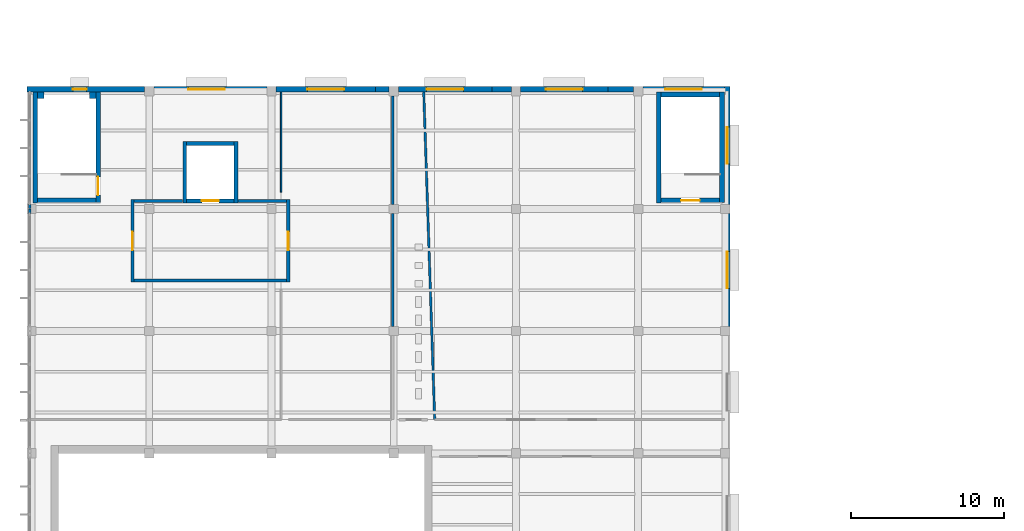
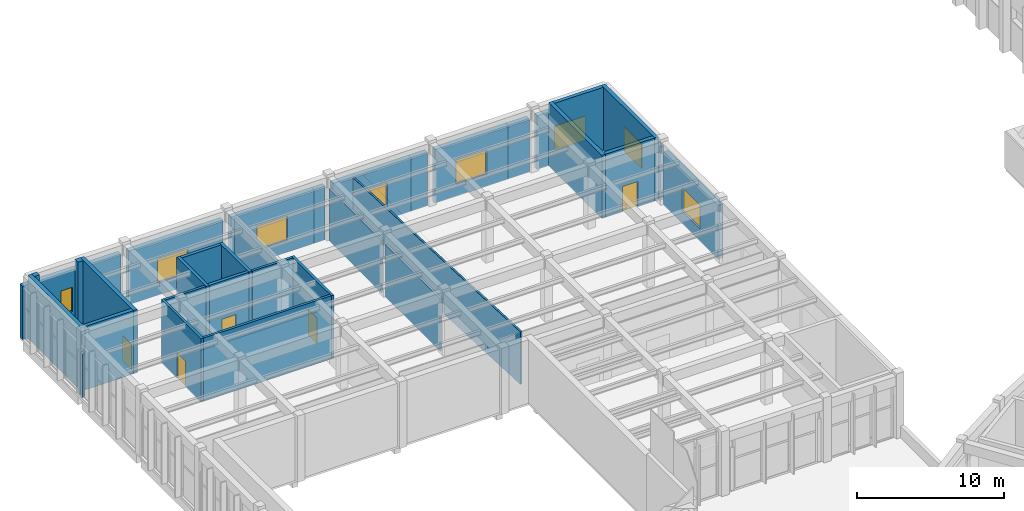
# One storey, part 66 of 94: 35 walls, 8 windows, 5 doors, 13 openings.
"""IFC4 building model written with IfcOpenShell, lengths in metres."""

from ifc_helpers import new_model, si_unit, direction, frame, frame_2d, origin, place, context, subcontext, project, spatial, rectangle, extrude, material, layer, layer_set, type_object, element, fill, save


model = new_model("IFC4")

# Units and contexts
model_context = context("Model", 3, precision=1e-05, world=origin(), true_north=direction((0.0, 1.0)))
body_context = subcontext(model_context, "Body", "Model", "MODEL_VIEW")
ifc_project = project(units=[si_unit("LENGTHUNIT", "METRE"), si_unit("AREAUNIT", "SQUARE_METRE"), si_unit("VOLUMEUNIT", "CUBIC_METRE"), si_unit("PLANEANGLEUNIT", "RADIAN"), si_unit("MASSUNIT", "GRAM", prefix="KILO")], contexts=[model_context])

# Site, building, storey
site_placement = place(None, origin())
site = spatial("IfcSite", under=ifc_project, at=site_placement, CompositionType="ELEMENT")
building_placement = place(site_placement, origin())
building = spatial("IfcBuilding", under=site, at=building_placement, Name="Lunette Opera House", CompositionType="ELEMENT")
storey_placement = place(building_placement, frame((0.0, 0.0, 22.5)))
storey = spatial("IfcBuildingStorey", under=building, at=storey_placement, Name="L04", CompositionType="ELEMENT", Elevation=22.5)

# Walls
ifc_material_1 = material(Name="Plastered clay blockwork", Category="masonry")
ifc_layer_1 = layer(ifc_material_1, 0.14990234375)
ifc_layer_set_1 = layer_set([ifc_layer_1], Name="Plastered clay blockwork")
wall_type_1 = type_object("IfcWallType", Name="BLOCK PARTITION 150", PredefinedType="PARTITIONING", material=ifc_layer_set_1)
wall_1_placement = place(storey_placement, frame((31.930908203125, 111.39990234375, 0.0), z_axis=(0.0, 0.0, 1.0), x_axis=(0.0, -1.0, 0.0)))
element("IfcWall", 1, at=wall_1_placement, inside=storey, type_object=wall_type_1, Name="Partition Rehearsal Wing WC L04", PredefinedType="PARTITIONING", context=body_context, shape_type="SweptSolid", body=[
    extrude(rectangle(XDim=7.099853515625, YDim=0.14990234375, at=frame_2d((3.5498046875, 0.0))), origin(), (0.0, 0.0, 1.0), 4.35009765625),
])
wall_2_placement = place(storey_placement, frame((31.930908203125, 103.699951171875, 0.0), z_axis=(0.0, 0.0, 1.0), x_axis=(0.0, -1.0, 0.0)))
element("IfcWall", 2, at=wall_2_placement, inside=storey, type_object=wall_type_1, Name="Partition Rehearsal Wing WC L04", PredefinedType="PARTITIONING", context=body_context, shape_type="SweptSolid", body=[
    extrude(rectangle(XDim=7.39990234375, YDim=0.14990234375, at=frame_2d((3.699951171875, 0.0))), origin(), (0.0, 0.0, 1.0), 4.35009765625),
])
wall_3_placement = place(storey_placement, frame((34.68408203125, 90.199951171875, 0.0), z_axis=(0.0, 0.0, 1.0), x_axis=(-0.033480092375, 0.999439384562, 0.0)))
element("IfcWall", 3, at=wall_3_placement, inside=storey, type_object=wall_type_1, Name="Partition Rehearsal Wing WC L04", PredefinedType="PARTITIONING", context=body_context, shape_type="SweptSolid", body=[
    extrude(rectangle(XDim=21.446044921875, YDim=0.14990234375, at=frame_2d((10.72314453125, 0.0))), origin(), (0.0, 0.0, 1.0), 4.35009765625),
])
ifc_material_2 = material(Name="Insulated aluminium sandwich panel", Category="aluminium")
ifc_layer_2 = layer(ifc_material_2, 0.179931640625)
ifc_layer_set_2 = layer_set([ifc_layer_2], Name="Insulated aluminium sandwich panel")
wall_type_2 = type_object("IfcWallType", Name="CURTAIN WALL INFILL 180", PredefinedType="SOLIDWALL", material=ifc_layer_set_2)
for number, where, z_axis, x_axis, name in (
    (4, (8.181884765625, 104.330078125, 0.0), (0.0, 0.0, 1.0), (0.0, -1.0, 0.0), "Curtain Wall Infill 180 IN114 L04"),
    (5, (8.181884765625, 103.669921875, 0.0), (0.0, 0.0, 1.0), (0.0, 1.0, 0.0), "Curtain Wall Infill 180 IN116 L04"),
):
    element("IfcWall", number, at=place(storey_placement, frame(where, z_axis=z_axis, x_axis=x_axis)), inside=storey, type_object=wall_type_2, Name=name, PredefinedType="SOLIDWALL", context=body_context, shape_type="SweptSolid", body=[
        extrude(rectangle(XDim=0.30517578125, YDim=0.179931640625, at=frame_2d((0.152587890625, 0.0))), origin(), (0.0, 0.0, 1.0), 3.60009765625),
    ])

# Wall, opening, door
ifc_material_3 = material(Name="Concrete C35/45", Category="concrete")
ifc_layer_3 = layer(ifc_material_3, 0.199951171875)
ifc_layer_set_3 = layer_set([ifc_layer_3], Name="Concrete C35/45")
wall_type_3 = type_object("IfcWallType", Name="LOBBY WALL 200", PredefinedType="PARTITIONING", material=ifc_layer_set_3)
wall_4_placement = place(storey_placement, frame((25.10009765625, 99.199951171875, 0.0), z_axis=(0.0, 0.0, 1.0), x_axis=(0.0, 1.0, 0.0)))
wall_4 = element("IfcWall", 6, at=wall_4_placement, inside=storey, type_object=wall_type_3, Name="LL-R lobby wall 1a", PredefinedType="PARTITIONING", context=body_context, shape_type="SweptSolid", body=[
    extrude(rectangle(XDim=5.400146484375, YDim=0.199951171875, at=frame_2d((2.7001953125, 0.0))), origin(), (0.0, 0.0, 1.0), 5.25),
])
opening_1_placement = place(wall_4_placement, frame((2.10009765625, 0.0, 0.0)))
opening_1 = element("IfcOpeningElement", 7, at=opening_1_placement, cuts=wall_4, Name="Opening RW-D7027", PredefinedType="OPENING", context=body_context, shape_type="SweptSolid", body=[
    extrude(rectangle(XDim=1.199951171875, YDim=2.10009765625, at=frame_2d((0.60009765625, 1.050048828125))), frame((0.0, 0.112060546875, 0.0), z_axis=(0.0, -1.0, 0.0), x_axis=(1.0, 0.0, 0.0)), (0.0, 0.0, 1.0), 0.223876953125),
])
ifc_material_4 = material(Name="Steel", Category="steel")
door_type_1 = type_object("IfcDoorType", Name="FIRE DOOR 1200 X 2100", OperationType="SINGLE_SWING_LEFT", PredefinedType="DOOR", material=ifc_material_4)
door_1_placement = place(opening_1_placement, origin())
door_1 = element("IfcDoor", 8, at=door_1_placement, inside=storey, type_object=door_type_1, Name="LL-R lobby door", OperationType="SINGLE_SWING_LEFT", OverallHeight=2.10009765625, OverallWidth=1.199951171875, PredefinedType="DOOR", context=body_context, shape_type="SweptSolid", body=[
    extrude(rectangle(XDim=1.199951171875, YDim=2.10009765625, at=frame_2d((0.60009765625, 1.050048828125))), frame((0.0, 0.02490234375, 0.0), z_axis=(0.0, -1.0, 0.0), x_axis=(1.0, 0.0, 0.0)), (0.0, 0.0, 1.0), 0.050048828125),
])
fill(opening_1, door_1)

# Walls
for number, where, z_axis, x_axis, name in (
    (9, (25.0, 104.5, 0.0), (0.0, 0.0, 1.0), (-1.0, 0.0, 0.0), "LL-R lobby wall 2a"),
    (10, (18.179931640625, 104.5, 0.0), (0.0, 0.0, 1.0), (-1.0, 0.0, 0.0), "LL-R lobby wall 2b"),
):
    element("IfcWall", number, at=place(storey_placement, frame(where, z_axis=z_axis, x_axis=x_axis)), inside=storey, type_object=wall_type_3, Name=name, PredefinedType="PARTITIONING", context=body_context, shape_type="SweptSolid", body=[
        extrude(rectangle(XDim=3.179931640625, YDim=0.199951171875, at=frame_2d((1.58984375, 0.0))), origin(), (0.0, 0.0, 1.0), 5.25),
    ])

# Wall, opening, door
wall_5_placement = place(storey_placement, frame((14.89990234375, 104.60009765625, 0.0), z_axis=(0.0, 0.0, 1.0), x_axis=(0.0, -1.0, 0.0)))
wall_5 = element("IfcWall", 11, at=wall_5_placement, inside=storey, type_object=wall_type_3, Name="LL-R lobby wall 3a", PredefinedType="PARTITIONING", context=body_context, shape_type="SweptSolid", body=[
    extrude(rectangle(XDim=5.400146484375, YDim=0.199951171875, at=frame_2d((2.7001953125, 0.0))), origin(), (0.0, 0.0, 1.0), 5.25),
])
opening_2_placement = place(wall_5_placement, frame((2.10009765625, 0.0, 0.0)))
opening_2 = element("IfcOpeningElement", 12, at=opening_2_placement, cuts=wall_5, Name="Opening RW-D7028", PredefinedType="OPENING", context=body_context, shape_type="SweptSolid", body=[
    extrude(rectangle(XDim=1.199951171875, YDim=2.10009765625, at=frame_2d((0.60009765625, 1.050048828125))), frame((0.0, 0.112060546875, 0.0), z_axis=(0.0, -1.0, 0.0), x_axis=(1.0, 0.0, 0.0)), (0.0, 0.0, 1.0), 0.223876953125),
])
door_2_placement = place(opening_2_placement, origin())
door_2 = element("IfcDoor", 13, at=door_2_placement, inside=storey, type_object=door_type_1, Name="LL-R lobby door", OperationType="SINGLE_SWING_LEFT", OverallHeight=2.10009765625, OverallWidth=1.199951171875, PredefinedType="DOOR", context=body_context, shape_type="SweptSolid", body=[
    extrude(rectangle(XDim=1.199951171875, YDim=2.10009765625, at=frame_2d((0.60009765625, 1.050048828125))), frame((0.0, 0.02490234375, 0.0), z_axis=(0.0, -1.0, 0.0), x_axis=(1.0, 0.0, 0.0)), (0.0, 0.0, 1.0), 0.050048828125),
])
fill(opening_2, door_2)

# Walls
wall_6_placement = place(storey_placement, frame((15.0, 99.300048828125, 0.0), z_axis=(0.0, 0.0, 1.0), x_axis=(1.0, 0.0, 0.0)))
element("IfcWall", 14, at=wall_6_placement, inside=storey, type_object=wall_type_3, Name="LL-R lobby wall 4a", PredefinedType="PARTITIONING", context=body_context, shape_type="SweptSolid", body=[
    extrude(rectangle(XDim=10.0, YDim=0.199951171875, at=frame_2d((5.0, 0.0))), origin(), (0.0, 0.0, 1.0), 5.25),
])
ifc_material_5 = material(Name="Concrete C35/45", Category="concrete")
ifc_layer_4 = layer(ifc_material_5, 0.25)
ifc_layer_set_4 = layer_set([ifc_layer_4], Name="Concrete C35/45")
wall_type_4 = type_object("IfcWallType", Name="RC LIFT SHAFT WALL 250", PredefinedType="SOLIDWALL", material=ifc_layer_set_4)
wall_7_placement = place(storey_placement, frame((21.675048828125, 104.39990234375, 0.0), z_axis=(0.0, 0.0, 1.0), x_axis=(0.0, 1.0, 0.0)))
element("IfcWall", 15, at=wall_7_placement, inside=storey, type_object=wall_type_4, Name="LF5 shaft wall 1", PredefinedType="SOLIDWALL", context=body_context, shape_type="SweptSolid", body=[
    extrude(rectangle(XDim=4.0, YDim=0.25, at=frame_2d((2.0, 0.0))), origin(), (0.0, 0.0, 1.0), 5.25),
])
wall_8_placement = place(storey_placement, frame((21.550048828125, 108.27490234375, 0.0), z_axis=(0.0, 0.0, 1.0), x_axis=(-1.0, 0.0, 0.0)))
element("IfcWall", 16, at=wall_8_placement, inside=storey, type_object=wall_type_4, Name="LF5 shaft wall 2", PredefinedType="SOLIDWALL", context=body_context, shape_type="SweptSolid", body=[
    extrude(rectangle(XDim=3.10009765625, YDim=0.25, at=frame_2d((1.550048828125, 0.0))), origin(), (0.0, 0.0, 1.0), 5.25),
])
wall_9_placement = place(storey_placement, frame((18.324951171875, 108.39990234375, 0.0), z_axis=(0.0, 0.0, 1.0), x_axis=(0.0, -1.0, 0.0)))
element("IfcWall", 17, at=wall_9_placement, inside=storey, type_object=wall_type_4, Name="LF5 shaft wall 3", PredefinedType="SOLIDWALL", context=body_context, shape_type="SweptSolid", body=[
    extrude(rectangle(XDim=4.0, YDim=0.25, at=frame_2d((2.0, 0.0))), origin(), (0.0, 0.0, 1.0), 5.25),
])

# Wall, opening, door
wall_10_placement = place(storey_placement, frame((18.449951171875, 104.52490234375, 0.0), z_axis=(0.0, 0.0, 1.0), x_axis=(1.0, 0.0, 0.0)))
wall_10 = element("IfcWall", 18, at=wall_10_placement, inside=storey, type_object=wall_type_4, Name="LF5 shaft wall 4", PredefinedType="SOLIDWALL", context=body_context, shape_type="SweptSolid", body=[
    extrude(rectangle(XDim=3.10009765625, YDim=0.25, at=frame_2d((1.550048828125, 0.0))), origin(), (0.0, 0.0, 1.0), 5.25),
])
opening_3_placement = place(wall_10_placement, frame((1.0, 0.0, 0.0)))
opening_3 = element("IfcOpeningElement", 19, at=opening_3_placement, cuts=wall_10, Name="Opening RW-LD006", PredefinedType="OPENING", context=body_context, shape_type="SweptSolid", body=[
    extrude(rectangle(XDim=1.10009765625, YDim=2.10009765625, at=frame_2d((0.550048828125, 1.050048828125))), frame((0.0, 0.136962890625, 0.0), z_axis=(0.0, -1.0, 0.0), x_axis=(1.0, 0.0, 0.0)), (0.0, 0.0, 1.0), 0.27392578125),
])
ifc_material_6 = material(Name="Stainless steel", Category="steel")
door_type_2 = type_object("IfcDoorType", Name="LIFT LANDING DOOR 1100 X 2100", OperationType="DOUBLE_DOOR_SLIDING", PredefinedType="DOOR", material=ifc_material_6)
door_3_placement = place(opening_3_placement, origin())
door_3 = element("IfcDoor", 20, at=door_3_placement, inside=storey, type_object=door_type_2, Name="LF5 lift landing door", OperationType="DOUBLE_DOOR_SLIDING", OverallHeight=2.10009765625, OverallWidth=1.10009765625, PredefinedType="DOOR", context=body_context, shape_type="SweptSolid", body=[
    extrude(rectangle(XDim=1.10009765625, YDim=2.10009765625, at=frame_2d((0.550048828125, 1.050048828125))), frame((0.0, 0.02490234375, 0.0), z_axis=(0.0, -1.0, 0.0), x_axis=(1.0, 0.0, 0.0)), (0.0, 0.0, 1.0), 0.050048828125),
])
fill(opening_3, door_3)

# Walls
ifc_material_7 = material(Name="Concrete C35/45", Category="concrete")
ifc_layer_5 = layer(ifc_material_7, 0.39990234375)
ifc_layer_set_5 = layer_set([ifc_layer_5], Name="Concrete C35/45")
wall_type_5 = type_object("IfcWallType", Name="RC PILASTER 400", PredefinedType="SOLIDWALL", material=ifc_layer_set_5)
wall_11_placement = place(storey_placement, frame((12.5, 111.43505859375, 0.0), z_axis=(0.0, 0.0, 1.0), x_axis=(-1.0, 0.0, 0.0)))
element("IfcWall", 21, at=wall_11_placement, inside=storey, type_object=wall_type_5, Name="ST15 pilaster 1", PredefinedType="SOLIDWALL", context=body_context, shape_type="SweptSolid", body=[
    extrude(rectangle(XDim=0.39990234375, YDim=0.39990234375, at=frame_2d((0.199951171875, 0.0))), origin(), (0.0, 0.0, 1.0), 5.25),
])
wall_12_placement = place(storey_placement, frame((9.10009765625, 111.43505859375, 0.0), z_axis=(0.0, 0.0, 1.0), x_axis=(-1.0, 0.0, 0.0)))
element("IfcWall", 22, at=wall_12_placement, inside=storey, type_object=wall_type_5, Name="ST15 pilaster 2", PredefinedType="SOLIDWALL", context=body_context, shape_type="SweptSolid", body=[
    extrude(rectangle(XDim=0.400146484375, YDim=0.39990234375, at=frame_2d((0.2001953125, 0.0))), origin(), (0.0, 0.0, 1.0), 5.25),
])

# Wall, opening, door
ifc_material_8 = material(Name="Concrete C35/45", Category="concrete")
ifc_layer_6 = layer(ifc_material_8, 0.300048828125)
ifc_layer_set_6 = layer_set([ifc_layer_6], Name="Concrete C35/45")
wall_type_6 = type_object("IfcWallType", Name="RC STAIR ENCLOSURE WALL 300", PredefinedType="SOLIDWALL", material=ifc_layer_set_6)
wall_13_placement = place(storey_placement, frame((12.64990234375, 104.39990234375, 0.0), z_axis=(0.0, 0.0, 1.0), x_axis=(0.0, 1.0, 0.0)))
wall_13 = element("IfcWall", 23, at=wall_13_placement, inside=storey, type_object=wall_type_6, Name="ST15 enclosure wall 1", PredefinedType="SOLIDWALL", context=body_context, shape_type="SweptSolid", body=[
    extrude(rectangle(XDim=7.235107421875, YDim=0.300048828125, at=frame_2d((3.61767578125, 0.0))), origin(), (0.0, 0.0, 1.0), 5.25),
])
opening_4_placement = place(wall_13_placement, frame((0.5, 0.0, 0.0)))
opening_4 = element("IfcOpeningElement", 24, at=opening_4_placement, cuts=wall_13, Name="Opening RW-D7006", PredefinedType="OPENING", context=body_context, shape_type="SweptSolid", body=[
    extrude(rectangle(XDim=1.199951171875, YDim=2.10009765625, at=frame_2d((0.60009765625, 1.050048828125))), frame((0.0, 0.162109375, 0.0), z_axis=(0.0, -1.0, 0.0), x_axis=(1.0, 0.0, 0.0)), (0.0, 0.0, 1.0), 0.323974609375),
])
door_4_placement = place(opening_4_placement, origin())
door_4 = element("IfcDoor", 25, at=door_4_placement, inside=storey, type_object=door_type_1, Name="ST15 stair door", OperationType="SINGLE_SWING_LEFT", OverallHeight=2.10009765625, OverallWidth=1.199951171875, PredefinedType="DOOR", context=body_context, shape_type="SweptSolid", body=[
    extrude(rectangle(XDim=1.199951171875, YDim=2.10009765625, at=frame_2d((0.60009765625, 1.050048828125))), frame((0.0, 0.02490234375, 0.0), z_axis=(0.0, -1.0, 0.0), x_axis=(1.0, 0.0, 0.0)), (0.0, 0.0, 1.0), 0.050048828125),
])
fill(opening_4, door_4)

# Walls
wall_14_placement = place(storey_placement, frame((8.550048828125, 111.635009765625, 0.0), z_axis=(0.0, 0.0, 1.0), x_axis=(0.0, -1.0, 0.0)))
element("IfcWall", 26, at=wall_14_placement, inside=storey, type_object=wall_type_6, Name="ST15 enclosure wall 3", PredefinedType="SOLIDWALL", context=body_context, shape_type="SweptSolid", body=[
    extrude(rectangle(XDim=7.235107421875, YDim=0.300048828125, at=frame_2d((3.61767578125, 0.0))), origin(), (0.0, 0.0, 1.0), 5.25),
])
wall_15_placement = place(storey_placement, frame((8.699951171875, 104.550048828125, 0.0), z_axis=(0.0, 0.0, 1.0), x_axis=(1.0, 0.0, 0.0)))
element("IfcWall", 27, at=wall_15_placement, inside=storey, type_object=wall_type_6, Name="ST15 enclosure wall 4", PredefinedType="SOLIDWALL", context=body_context, shape_type="SweptSolid", body=[
    extrude(rectangle(XDim=3.800048828125, YDim=0.300048828125, at=frame_2d((1.89990234375, 0.0))), origin(), (0.0, 0.0, 1.0), 5.25),
])
wall_16_placement = place(storey_placement, frame((53.485107421875, 104.39990234375, 0.0), z_axis=(0.0, 0.0, 1.0), x_axis=(0.0, 1.0, 0.0)))
element("IfcWall", 28, at=wall_16_placement, inside=storey, type_object=wall_type_6, Name="ST17 enclosure wall 1", PredefinedType="SOLIDWALL", context=body_context, shape_type="SweptSolid", body=[
    extrude(rectangle(XDim=7.235107421875, YDim=0.300048828125, at=frame_2d((3.61767578125, 0.0))), origin(), (0.0, 0.0, 1.0), 5.25),
])
wall_17_placement = place(storey_placement, frame((53.3349609375, 111.485107421875, 0.0), z_axis=(0.0, 0.0, 1.0), x_axis=(-1.0, 0.0, 0.0)))
element("IfcWall", 29, at=wall_17_placement, inside=storey, type_object=wall_type_6, Name="ST17 enclosure wall 2", PredefinedType="SOLIDWALL", context=body_context, shape_type="SweptSolid", body=[
    extrude(rectangle(XDim=3.8349609375, YDim=0.300048828125, at=frame_2d((1.91748046875, 0.0))), origin(), (0.0, 0.0, 1.0), 5.25),
])
wall_18_placement = place(storey_placement, frame((49.35009765625, 111.635009765625, 0.0), z_axis=(0.0, 0.0, 1.0), x_axis=(0.0, -1.0, 0.0)))
element("IfcWall", 30, at=wall_18_placement, inside=storey, type_object=wall_type_6, Name="ST17 enclosure wall 3", PredefinedType="SOLIDWALL", context=body_context, shape_type="SweptSolid", body=[
    extrude(rectangle(XDim=7.235107421875, YDim=0.300048828125, at=frame_2d((3.61767578125, 0.0))), origin(), (0.0, 0.0, 1.0), 5.25),
])

# Wall, opening, door
wall_19_placement = place(storey_placement, frame((49.5, 104.550048828125, 0.0), z_axis=(0.0, 0.0, 1.0), x_axis=(1.0, 0.0, 0.0)))
wall_19 = element("IfcWall", 31, at=wall_19_placement, inside=storey, type_object=wall_type_6, Name="ST17 enclosure wall 4", PredefinedType="SOLIDWALL", context=body_context, shape_type="SweptSolid", body=[
    extrude(rectangle(XDim=3.8349609375, YDim=0.300048828125, at=frame_2d((1.91748046875, 0.0))), origin(), (0.0, 0.0, 1.0), 5.25),
])
opening_5_placement = place(wall_19_placement, frame((1.31689453125, 0.0, 0.0)))
opening_5 = element("IfcOpeningElement", 32, at=opening_5_placement, cuts=wall_19, Name="Opening RW-D7018", PredefinedType="OPENING", context=body_context, shape_type="SweptSolid", body=[
    extrude(rectangle(XDim=1.199951171875, YDim=2.10009765625, at=frame_2d((0.60009765625, 1.050048828125))), frame((0.0, 0.162109375, 0.0), z_axis=(0.0, -1.0, 0.0), x_axis=(1.0, 0.0, 0.0)), (0.0, 0.0, 1.0), 0.323974609375),
])
door_5_placement = place(opening_5_placement, origin())
door_5 = element("IfcDoor", 33, at=door_5_placement, inside=storey, type_object=door_type_1, Name="ST17 stair door", OperationType="SINGLE_SWING_LEFT", OverallHeight=2.10009765625, OverallWidth=1.199951171875, PredefinedType="DOOR", context=body_context, shape_type="SweptSolid", body=[
    extrude(rectangle(XDim=1.199951171875, YDim=2.10009765625, at=frame_2d((0.60009765625, 1.050048828125))), frame((0.0, 0.02490234375, 0.0), z_axis=(0.0, -1.0, 0.0), x_axis=(1.0, 0.0, 0.0)), (0.0, 0.0, 1.0), 0.050048828125),
])
fill(opening_5, door_5)

# Wall, opening, window
ifc_material_9 = material(Name="Clinker brick", Category="masonry")
ifc_layer_7 = layer(ifc_material_9, 0.364990234375)
ifc_layer_set_7 = layer_set([ifc_layer_7], Name="Clinker brick")
wall_type_7 = type_object("IfcWallType", Name="REHEARSAL BRICK WALL 365", PredefinedType="SOLIDWALL", material=ifc_layer_set_7)
wall_20_placement = place(storey_placement, frame((53.818115234375, 96.300048828125, 0.0), z_axis=(0.0, 0.0, 1.0), x_axis=(0.0, 1.0, 0.0)))
wall_20 = element("IfcWall", 34, at=wall_20_placement, inside=storey, type_object=wall_type_7, Name="Rehearsal Brick Wall 365 F07 L04", PredefinedType="SOLIDWALL", context=body_context, shape_type="SweptSolid", body=[
    extrude(rectangle(XDim=7.39990234375, YDim=0.364990234375, at=frame_2d((3.699951171875, 0.0))), origin(), (0.0, 0.0, 1.0), 4.449951171875),
])
opening_6_placement = place(wall_20_placement, frame((2.5, 0.0, 1.0)))
opening_6 = element("IfcOpeningElement", 35, at=opening_6_placement, cuts=wall_20, Name="Opening RW-N2052", PredefinedType="OPENING", context=body_context, shape_type="SweptSolid", body=[
    extrude(rectangle(XDim=2.39990234375, YDim=2.0, at=frame_2d((1.199951171875, 1.0))), frame((0.0, 0.194580078125, 0.0), z_axis=(0.0, -1.0, 0.0), x_axis=(1.0, 0.0, 0.0)), (0.0, 0.0, 1.0), 0.388916015625),
])
ifc_material_10 = material(Name="Aluminium", Category="aluminium")
window_type_1 = type_object("IfcWindowType", Name="REHEARSAL WINDOW 2400 X 2000", PartitioningType="DOUBLE_PANEL_VERTICAL", PredefinedType="WINDOW", material=ifc_material_10)
window_1_placement = place(opening_6_placement, origin())
window_1 = element("IfcWindow", 36, at=window_1_placement, inside=storey, type_object=window_type_1, Name="Rehearsal Window 2400 X 2000 F07 L04", OverallHeight=2.0, OverallWidth=2.39990234375, PartitioningType="DOUBLE_PANEL_VERTICAL", PredefinedType="WINDOW", context=body_context, shape_type="SweptSolid", body=[
    extrude(rectangle(XDim=2.39990234375, YDim=2.0, at=frame_2d((1.199951171875, 1.0))), frame((0.0, 0.030029296875, 0.0), z_axis=(0.0, -1.0, 0.0), x_axis=(1.0, 0.0, 0.0)), (0.0, 0.0, 1.0), 0.06005859375),
])
fill(opening_6, window_1)

wall_21_placement = place(storey_placement, frame((53.818115234375, 104.300048828125, 0.0), z_axis=(0.0, 0.0, 1.0), x_axis=(0.0, 1.0, 0.0)))
wall_21 = element("IfcWall", 37, at=wall_21_placement, inside=storey, type_object=wall_type_7, Name="Rehearsal Brick Wall 365 F08 L04", PredefinedType="SOLIDWALL", context=body_context, shape_type="SweptSolid", body=[
    extrude(rectangle(XDim=7.699951171875, YDim=0.364990234375, at=frame_2d((3.85009765625, 0.0))), origin(), (0.0, 0.0, 1.0), 4.449951171875),
])
opening_7_placement = place(wall_21_placement, frame((2.64990234375, 0.0, 1.0)))
opening_7 = element("IfcOpeningElement", 38, at=opening_7_placement, cuts=wall_21, Name="Opening RW-N2053", PredefinedType="OPENING", context=body_context, shape_type="SweptSolid", body=[
    extrude(rectangle(XDim=2.39990234375, YDim=2.0, at=frame_2d((1.199951171875, 1.0))), frame((0.0, 0.194580078125, 0.0), z_axis=(0.0, -1.0, 0.0), x_axis=(1.0, 0.0, 0.0)), (0.0, 0.0, 1.0), 0.388916015625),
])
window_2_placement = place(opening_7_placement, origin())
window_2 = element("IfcWindow", 39, at=window_2_placement, inside=storey, type_object=window_type_1, Name="Rehearsal Window 2400 X 2000 F08 L04", OverallHeight=2.0, OverallWidth=2.39990234375, PartitioningType="DOUBLE_PANEL_VERTICAL", PredefinedType="WINDOW", context=body_context, shape_type="SweptSolid", body=[
    extrude(rectangle(XDim=2.39990234375, YDim=2.0, at=frame_2d((1.199951171875, 1.0))), frame((0.0, 0.030029296875, 0.0), z_axis=(0.0, -1.0, 0.0), x_axis=(1.0, 0.0, 0.0)), (0.0, 0.0, 1.0), 0.06005859375),
])
fill(opening_7, window_2)

wall_22_placement = place(storey_placement, frame((53.635009765625, 111.81689453125, 0.0), z_axis=(0.0, 0.0, 1.0), x_axis=(-1.0, 0.0, 0.0)))
wall_22 = element("IfcWall", 40, at=wall_22_placement, inside=storey, type_object=wall_type_7, Name="Rehearsal Brick Wall 365 F09-1 L04", PredefinedType="SOLIDWALL", context=body_context, shape_type="SweptSolid", body=[
    extrude(rectangle(XDim=5.3349609375, YDim=0.364990234375, at=frame_2d((2.66748046875, 0.0))), origin(), (0.0, 0.0, 1.0), 4.449951171875),
])
opening_8_placement = place(wall_22_placement, frame((1.468017578125, 0.0, 1.0)))
opening_8 = element("IfcOpeningElement", 41, at=opening_8_placement, cuts=wall_22, Name="Opening RW-N2054", PredefinedType="OPENING", context=body_context, shape_type="SweptSolid", body=[
    extrude(rectangle(XDim=2.39990234375, YDim=2.0, at=frame_2d((1.199951171875, 1.0))), frame((0.0, 0.194580078125, 0.0), z_axis=(0.0, -1.0, 0.0), x_axis=(1.0, 0.0, 0.0)), (0.0, 0.0, 1.0), 0.388916015625),
])
window_3_placement = place(opening_8_placement, origin())
window_3 = element("IfcWindow", 42, at=window_3_placement, inside=storey, type_object=window_type_1, Name="Rehearsal Window 2400 X 2000 F09-1 L04", OverallHeight=2.0, OverallWidth=2.39990234375, PartitioningType="DOUBLE_PANEL_VERTICAL", PredefinedType="WINDOW", context=body_context, shape_type="SweptSolid", body=[
    extrude(rectangle(XDim=2.39990234375, YDim=2.0, at=frame_2d((1.199951171875, 1.0))), frame((0.0, 0.030029296875, 0.0), z_axis=(0.0, -1.0, 0.0), x_axis=(1.0, 0.0, 0.0)), (0.0, 0.0, 1.0), 0.06005859375),
])
fill(opening_8, window_3)

# Wall
wall_23_placement = place(storey_placement, frame((47.699951171875, 111.81689453125, 0.0), z_axis=(0.0, 0.0, 1.0), x_axis=(-1.0, 0.0, 0.0)))
element("IfcWall", 43, at=wall_23_placement, inside=storey, type_object=wall_type_7, Name="Rehearsal Brick Wall 365 F09-2 L04", PredefinedType="SOLIDWALL", context=body_context, shape_type="SweptSolid", body=[
    extrude(rectangle(XDim=1.6708984375, YDim=0.364990234375, at=frame_2d((0.83544921875, 0.0))), origin(), (0.0, 0.0, 1.0), 4.449951171875),
])

# Wall, opening, window
wall_24_placement = place(storey_placement, frame((46.029052734375, 111.81689453125, 0.0), z_axis=(0.0, 0.0, 1.0), x_axis=(-1.0, 0.0, 0.0)))
wall_24 = element("IfcWall", 44, at=wall_24_placement, inside=storey, type_object=wall_type_7, Name="Rehearsal Brick Wall 365 F10-1 L04", PredefinedType="SOLIDWALL", context=body_context, shape_type="SweptSolid", body=[
    extrude(rectangle(XDim=5.72900390625, YDim=0.364990234375, at=frame_2d((2.864501953125, 0.0))), origin(), (0.0, 0.0, 1.0), 4.449951171875),
])
opening_9_placement = place(wall_24_placement, frame((1.6650390625, 0.0, 1.0)))
opening_9 = element("IfcOpeningElement", 45, at=opening_9_placement, cuts=wall_24, Name="Opening RW-N2055", PredefinedType="OPENING", context=body_context, shape_type="SweptSolid", body=[
    extrude(rectangle(XDim=2.39990234375, YDim=2.0, at=frame_2d((1.199951171875, 1.0))), frame((0.0, 0.194580078125, 0.0), z_axis=(0.0, -1.0, 0.0), x_axis=(1.0, 0.0, 0.0)), (0.0, 0.0, 1.0), 0.388916015625),
])
window_4_placement = place(opening_9_placement, origin())
window_4 = element("IfcWindow", 46, at=window_4_placement, inside=storey, type_object=window_type_1, Name="Rehearsal Window 2400 X 2000 F10-1 L04", OverallHeight=2.0, OverallWidth=2.39990234375, PartitioningType="DOUBLE_PANEL_VERTICAL", PredefinedType="WINDOW", context=body_context, shape_type="SweptSolid", body=[
    extrude(rectangle(XDim=2.39990234375, YDim=2.0, at=frame_2d((1.199951171875, 1.0))), frame((0.0, 0.030029296875, 0.0), z_axis=(0.0, -1.0, 0.0), x_axis=(1.0, 0.0, 0.0)), (0.0, 0.0, 1.0), 0.06005859375),
])
fill(opening_9, window_4)

# Wall
wall_25_placement = place(storey_placement, frame((39.699951171875, 111.81689453125, 0.0), z_axis=(0.0, 0.0, 1.0), x_axis=(-1.0, 0.0, 0.0)))
element("IfcWall", 47, at=wall_25_placement, inside=storey, type_object=wall_type_7, Name="Rehearsal Brick Wall 365 F10-2 L04", PredefinedType="SOLIDWALL", context=body_context, shape_type="SweptSolid", body=[
    extrude(rectangle(XDim=1.27685546875, YDim=0.364990234375, at=frame_2d((0.638427734375, 0.0))), origin(), (0.0, 0.0, 1.0), 4.449951171875),
])

# Wall, opening, window
wall_26_placement = place(storey_placement, frame((38.423095703125, 111.81689453125, 0.0), z_axis=(0.0, 0.0, 1.0), x_axis=(-1.0, 0.0, 0.0)))
wall_26 = element("IfcWall", 48, at=wall_26_placement, inside=storey, type_object=wall_type_7, Name="Rehearsal Brick Wall 365 F11-1 L04", PredefinedType="SOLIDWALL", context=body_context, shape_type="SweptSolid", body=[
    extrude(rectangle(XDim=6.123046875, YDim=0.364990234375, at=frame_2d((3.0615234375, 0.0))), origin(), (0.0, 0.0, 1.0), 4.449951171875),
])
opening_10_placement = place(wall_26_placement, frame((1.862060546875, 0.0, 1.0)))
opening_10 = element("IfcOpeningElement", 49, at=opening_10_placement, cuts=wall_26, Name="Opening RW-N2056", PredefinedType="OPENING", context=body_context, shape_type="SweptSolid", body=[
    extrude(rectangle(XDim=2.39990234375, YDim=2.0, at=frame_2d((1.199951171875, 1.0))), frame((0.0, 0.194580078125, 0.0), z_axis=(0.0, -1.0, 0.0), x_axis=(1.0, 0.0, 0.0)), (0.0, 0.0, 1.0), 0.388916015625),
])
window_5_placement = place(opening_10_placement, origin())
window_5 = element("IfcWindow", 50, at=window_5_placement, inside=storey, type_object=window_type_1, Name="Rehearsal Window 2400 X 2000 F11-1 L04", OverallHeight=2.0, OverallWidth=2.39990234375, PartitioningType="DOUBLE_PANEL_VERTICAL", PredefinedType="WINDOW", context=body_context, shape_type="SweptSolid", body=[
    extrude(rectangle(XDim=2.39990234375, YDim=2.0, at=frame_2d((1.199951171875, 1.0))), frame((0.0, 0.030029296875, 0.0), z_axis=(0.0, -1.0, 0.0), x_axis=(1.0, 0.0, 0.0)), (0.0, 0.0, 1.0), 0.06005859375),
])
fill(opening_10, window_5)

# Wall
wall_27_placement = place(storey_placement, frame((31.699951171875, 111.81689453125, 0.0), z_axis=(0.0, 0.0, 1.0), x_axis=(-1.0, 0.0, 0.0)))
element("IfcWall", 51, at=wall_27_placement, inside=storey, type_object=wall_type_7, Name="Rehearsal Brick Wall 365 F11-2 L04", PredefinedType="SOLIDWALL", context=body_context, shape_type="SweptSolid", body=[
    extrude(rectangle(XDim=0.883056640625, YDim=0.364990234375, at=frame_2d((0.44140625, 0.0))), origin(), (0.0, 0.0, 1.0), 4.449951171875),
])

# Wall, opening, window
wall_28_placement = place(storey_placement, frame((30.81689453125, 111.81689453125, 0.0), z_axis=(0.0, 0.0, 1.0), x_axis=(-1.0, 0.0, 0.0)))
wall_28 = element("IfcWall", 52, at=wall_28_placement, inside=storey, type_object=wall_type_7, Name="Rehearsal Brick Wall 365 F12 L04", PredefinedType="SOLIDWALL", context=body_context, shape_type="SweptSolid", body=[
    extrude(rectangle(XDim=6.516845703125, YDim=0.364990234375, at=frame_2d((3.25830078125, 0.0))), origin(), (0.0, 0.0, 1.0), 4.449951171875),
])
opening_11_placement = place(wall_28_placement, frame((2.05908203125, 0.0, 1.0)))
opening_11 = element("IfcOpeningElement", 53, at=opening_11_placement, cuts=wall_28, Name="Opening RW-N2057", PredefinedType="OPENING", context=body_context, shape_type="SweptSolid", body=[
    extrude(rectangle(XDim=2.39990234375, YDim=2.0, at=frame_2d((1.199951171875, 1.0))), frame((0.0, 0.194580078125, 0.0), z_axis=(0.0, -1.0, 0.0), x_axis=(1.0, 0.0, 0.0)), (0.0, 0.0, 1.0), 0.388916015625),
])
window_6_placement = place(opening_11_placement, origin())
window_6 = element("IfcWindow", 54, at=window_6_placement, inside=storey, type_object=window_type_1, Name="Rehearsal Window 2400 X 2000 F12 L04", OverallHeight=2.0, OverallWidth=2.39990234375, PartitioningType="DOUBLE_PANEL_VERTICAL", PredefinedType="WINDOW", context=body_context, shape_type="SweptSolid", body=[
    extrude(rectangle(XDim=2.39990234375, YDim=2.0, at=frame_2d((1.199951171875, 1.0))), frame((0.0, 0.030029296875, 0.0), z_axis=(0.0, -1.0, 0.0), x_axis=(1.0, 0.0, 0.0)), (0.0, 0.0, 1.0), 0.06005859375),
])
fill(opening_11, window_6)

wall_29_placement = place(storey_placement, frame((23.697021484375, 111.81689453125, 0.0), z_axis=(0.0, 0.0, 1.0), x_axis=(-1.0, 0.0, 0.0)))
wall_29 = element("IfcWall", 55, at=wall_29_placement, inside=storey, type_object=wall_type_7, Name="Rehearsal Brick Wall 365 F13 L04", PredefinedType="SOLIDWALL", context=body_context, shape_type="SweptSolid", body=[
    extrude(rectangle(XDim=7.39697265625, YDim=0.364990234375, at=frame_2d((3.698486328125, 0.0))), origin(), (0.0, 0.0, 1.0), 4.449951171875),
])
opening_12_placement = place(wall_29_placement, frame((2.740966796875, 0.0, 1.0)))
opening_12 = element("IfcOpeningElement", 56, at=opening_12_placement, cuts=wall_29, Name="Opening RW-N2058", PredefinedType="OPENING", context=body_context, shape_type="SweptSolid", body=[
    extrude(rectangle(XDim=2.39990234375, YDim=2.0, at=frame_2d((1.199951171875, 1.0))), frame((0.0, 0.194580078125, 0.0), z_axis=(0.0, -1.0, 0.0), x_axis=(1.0, 0.0, 0.0)), (0.0, 0.0, 1.0), 0.388916015625),
])
window_7_placement = place(opening_12_placement, origin())
window_7 = element("IfcWindow", 57, at=window_7_placement, inside=storey, type_object=window_type_1, Name="Rehearsal Window 2400 X 2000 F13 L04", OverallHeight=2.0, OverallWidth=2.39990234375, PartitioningType="DOUBLE_PANEL_VERTICAL", PredefinedType="WINDOW", context=body_context, shape_type="SweptSolid", body=[
    extrude(rectangle(XDim=2.39990234375, YDim=2.0, at=frame_2d((1.199951171875, 1.0))), frame((0.0, 0.030029296875, 0.0), z_axis=(0.0, -1.0, 0.0), x_axis=(1.0, 0.0, 0.0)), (0.0, 0.0, 1.0), 0.06005859375),
])
fill(opening_12, window_7)

wall_30_placement = place(storey_placement, frame((15.700927734375, 111.81689453125, 0.0), z_axis=(0.0, 0.0, 1.0), x_axis=(-1.0, 0.0, 0.0)))
wall_30 = element("IfcWall", 58, at=wall_30_placement, inside=storey, type_object=wall_type_7, Name="Rehearsal Brick Wall 365 F14 L04", PredefinedType="SOLIDWALL", context=body_context, shape_type="SweptSolid", body=[
    extrude(rectangle(XDim=7.700927734375, YDim=0.364990234375, at=frame_2d((3.8505859375, 0.0))), origin(), (0.0, 0.0, 1.0), 4.449951171875),
])
opening_13_placement = place(wall_30_placement, frame((3.800048828125, 0.0, 1.0)))
opening_13 = element("IfcOpeningElement", 59, at=opening_13_placement, cuts=wall_30, Name="Opening RW-N2064", PredefinedType="OPENING", context=body_context, shape_type="SweptSolid", body=[
    extrude(rectangle(XDim=0.89990234375, YDim=2.0, at=frame_2d((0.449951171875, 1.0))), frame((0.0, 0.194580078125, 0.0), z_axis=(0.0, -1.0, 0.0), x_axis=(1.0, 0.0, 0.0)), (0.0, 0.0, 1.0), 0.388916015625),
])
ifc_material_11 = material(Name="Aluminium", Category="aluminium")
window_type_2 = type_object("IfcWindowType", Name="REHEARSAL WINDOW 900 X 2000", PartitioningType="SINGLE_PANEL", PredefinedType="WINDOW", material=ifc_material_11)
window_8_placement = place(opening_13_placement, origin())
window_8 = element("IfcWindow", 60, at=window_8_placement, inside=storey, type_object=window_type_2, Name="Rehearsal Window 900 X 2000 F14b L04", OverallHeight=2.0, OverallWidth=0.89990234375, PartitioningType="SINGLE_PANEL", PredefinedType="WINDOW", context=body_context, shape_type="SweptSolid", body=[
    extrude(rectangle(XDim=0.89990234375, YDim=2.0, at=frame_2d((0.449951171875, 1.0))), frame((0.0, 0.030029296875, 0.0), z_axis=(0.0, -1.0, 0.0), x_axis=(1.0, 0.0, 0.0)), (0.0, 0.0, 1.0), 0.06005859375),
])
fill(opening_13, window_8)

# Wall
ifc_material_12 = material(Name="Gypsum board on steel studs", Category="steel")
ifc_layer_8 = layer(ifc_material_12, 0.10009765625)
ifc_layer_set_8 = layer_set([ifc_layer_8], Name="Gypsum board on steel studs")
wall_type_8 = type_object("IfcWallType", Name="STUD PARTITION 100", PredefinedType="PARTITIONING", material=ifc_layer_set_8)
wall_31_placement = place(storey_placement, frame((24.634033203125, 111.634033203125, 0.0), z_axis=(0.0, 0.0, 1.0), x_axis=(0.0, -1.0, 0.0)))
element("IfcWall", 61, at=wall_31_placement, inside=storey, type_object=wall_type_8, Name="Partition Chorus Master Rooms", PredefinedType="PARTITIONING", context=body_context, shape_type="SweptSolid", body=[
    extrude(rectangle(XDim=6.533935546875, YDim=0.10009765625, at=frame_2d((3.26708984375, 0.0))), origin(), (0.0, 0.0, 1.0), 4.35009765625),
])

save(model, "model.ifc")
